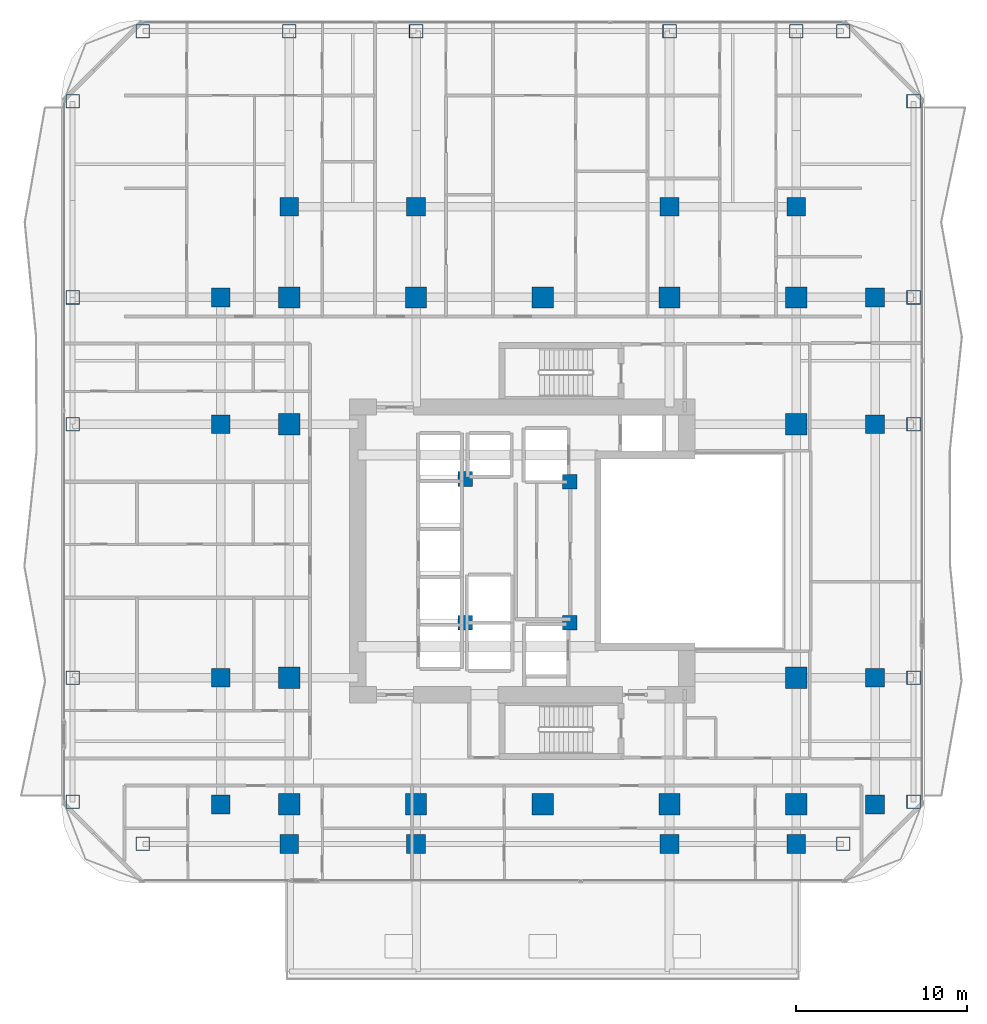
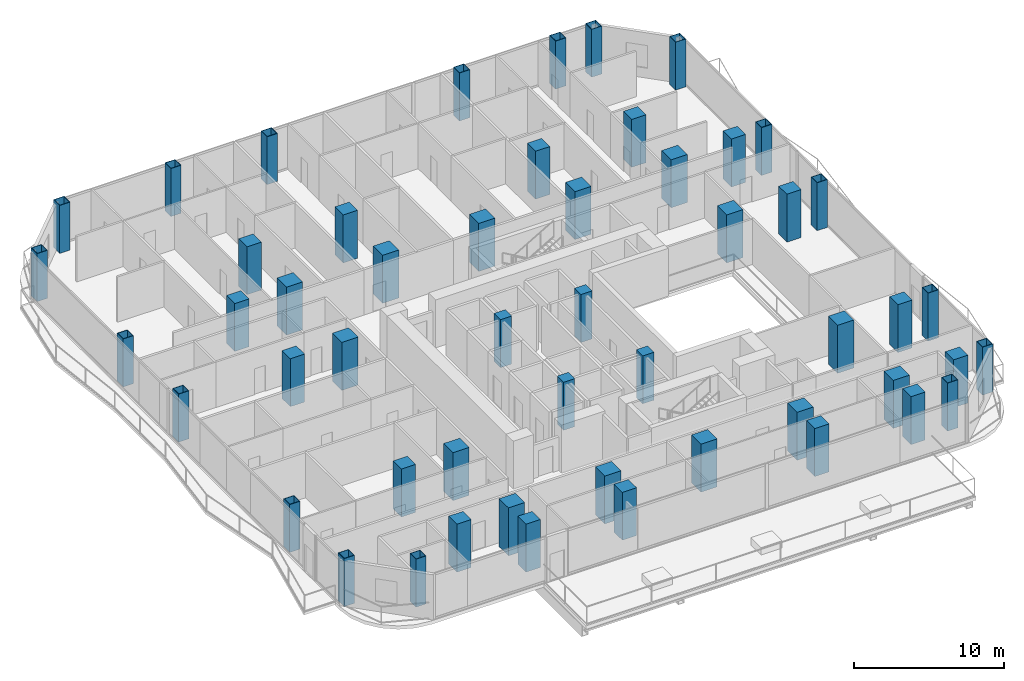
# One storey, part 1 of 29: 52 columns.
"""IFC4 building model written with IfcOpenShell, lengths in metres."""

import ifcopenshell
import ifcopenshell.guid

model = None  # the IFC model being written
_history = None  # IfcOwnerHistory: only IFC2X3 demands one
_inside = {}  # id of a spatial element -> (the spatial element, [elements in it])
_under = {}  # id of a project, library or spatial element -> (it, [spatial elements below it])
_declared = {}  # id of a project -> (the project, [libraries it declares])
_typed = {}  # id of a type object -> (the type object, [elements of that type])
_made_of = {}  # id of a material, layer set ... -> (it, [elements and type objects made of it])


def new_model(schema):
    """Start an empty IFC model of exactly this schema.

    Asked for "IFC4X3", IfcOpenShell would pick the latest addendum, in which some entities
    have other attributes; the version numbers below select the first issue.
    IFC2X3 requires an IfcOwnerHistory on every rooted entity: one is made here for all.
    """
    global model, _history
    if schema == "IFC4X3":
        model = ifcopenshell.file(schema_version=(4, 3, 0, 0))
    else:
        model = ifcopenshell.file(schema=schema)
    _inside.clear()
    _under.clear()
    _declared.clear()
    _typed.clear()
    _made_of.clear()
    _history = None
    if model.schema == "IFC2X3":
        org = make("IfcOrganization", Name="unknown")
        user = make(
            "IfcPersonAndOrganization",
            ThePerson=make("IfcPerson", FamilyName="unknown"),
            TheOrganization=org,
        )
        app = make(
            "IfcApplication",
            ApplicationDeveloper=org,
            Version="unknown",
            ApplicationFullName="unknown",
            ApplicationIdentifier="unknown",
        )
        _history = make(
            "IfcOwnerHistory",
            OwningUser=user,
            OwningApplication=app,
            ChangeAction="ADDED",
            CreationDate=0,
        )
    return model


def make(cls, **values):
    """One entity of the class cls with the attributes given. An attribute that is None is left unset."""
    return model.create_entity(
        cls, **{name: value for name, value in values.items() if value is not None}
    )


def rooted(cls, **values):
    """An entity with a GlobalId (a new one), such as an element, a storey or a relation."""
    return make(cls, GlobalId=ifcopenshell.guid.new(), OwnerHistory=_history, **values)


def si_unit(unit_type, name, prefix=None):
    """IfcSIUnit, for example si_unit("LENGTHUNIT", "METRE", prefix="MILLI")."""
    return make("IfcSIUnit", UnitType=unit_type, Prefix=prefix, Name=name)


def assignment(units):
    """IfcUnitAssignment: the units of a project."""
    return None if units is None else make("IfcUnitAssignment", Units=units)


def point(xyz):
    """IfcCartesianPoint."""
    return None if xyz is None else make("IfcCartesianPoint", Coordinates=xyz)


def direction(xyz):
    """IfcDirection."""
    return None if xyz is None else make("IfcDirection", DirectionRatios=xyz)


def frame(location, z_axis=None, x_axis=None):
    """IfcAxis2Placement3D, a coordinate frame: its origin and axes. An axis left out is left unset."""
    return make(
        "IfcAxis2Placement3D",
        Location=point(location),
        Axis=direction(z_axis),
        RefDirection=direction(x_axis),
    )


def frame_2d(location, x_axis=None):
    """IfcAxis2Placement2D, a coordinate frame in the plane: its origin and x axis."""
    return make(
        "IfcAxis2Placement2D", Location=point(location), RefDirection=direction(x_axis)
    )


def origin():
    """The frame at (0, 0, 0) with its axes left unset."""
    return frame((0.0, 0.0, 0.0))


def origin_2d():
    """The frame at (0, 0) in the plane with its x axis left unset."""
    return frame_2d((0.0, 0.0))


def place(relative_to, where):
    """IfcLocalPlacement: puts the frame where relative to a parent placement (None: the world)."""
    return make(
        "IfcLocalPlacement", PlacementRelTo=relative_to, RelativePlacement=where
    )


def context(
    kind, dimensions, precision=None, world=None, true_north=None, identifier=None
):
    """IfcGeometricRepresentationContext, for example the 3D "Model" context."""
    return make(
        "IfcGeometricRepresentationContext",
        ContextIdentifier=identifier,
        ContextType=kind,
        CoordinateSpaceDimension=dimensions,
        Precision=precision,
        WorldCoordinateSystem=world,
        TrueNorth=true_north,
    )


def subcontext(parent, identifier, kind, view, scale=None):
    """IfcGeometricRepresentationSubContext, for example "Body" below "Model"."""
    return make(
        "IfcGeometricRepresentationSubContext",
        ContextIdentifier=identifier,
        ContextType=kind,
        ParentContext=parent,
        TargetScale=scale,
        TargetView=view,
    )


def project(units=None, contexts=None):
    """IfcProject with its units and contexts."""
    return rooted(
        "IfcProject",
        Name="project",
        RepresentationContexts=contexts,
        UnitsInContext=assignment(units),
    )


def spatial(cls, under=None, at=None, **own):
    """A site, building, storey or space (cls), placed at a placement, below another one or the project."""
    s = rooted(cls, ObjectPlacement=at, **own)
    if under is not None:
        _under.setdefault(under.id(), (under, []))[1].append(s)
    return s


def profile(cls, at=None, kind="AREA", **sizes):
    """A parametric profile (cls). Its sizes go by their IFC names, for example OverallWidth=200.0."""
    return make(cls, ProfileType=kind, Position=at, **sizes)


def rectangle(**sizes):
    """IfcRectangleProfileDef."""
    return profile("IfcRectangleProfileDef", **sizes)


def hollow_rectangle(**sizes):
    """IfcRectangleHollowProfileDef."""
    return profile("IfcRectangleHollowProfileDef", **sizes)


def extrude(swept, where, along, depth):
    """IfcExtrudedAreaSolid: the profile swept, set in the frame where, extruded along a direction by depth."""
    return make(
        "IfcExtrudedAreaSolid",
        SweptArea=swept,
        Position=where,
        ExtrudedDirection=direction(along),
        Depth=depth,
    )


def shape(context_of_items, identifier, shape_type, items):
    """IfcShapeRepresentation: the items that make up one representation, for example the "Body"."""
    return make(
        "IfcShapeRepresentation",
        ContextOfItems=context_of_items,
        RepresentationIdentifier=identifier,
        RepresentationType=shape_type,
        Items=items,
    )


def material(Name=None, Category=None):
    """IfcMaterial."""
    return make("IfcMaterial", Name=Name, Category=Category)


def material_profile(
    of_material, cross_section, Name=None, Category=None, Priority=None
):
    """IfcMaterialProfile: a cross section and its material."""
    return make(
        "IfcMaterialProfile",
        Name=Name,
        Material=of_material,
        Profile=cross_section,
        Priority=Priority,
        Category=Category,
    )


def profile_set(profiles, Name=None, composite=None):
    """IfcMaterialProfileSet."""
    return make(
        "IfcMaterialProfileSet",
        Name=Name,
        MaterialProfiles=profiles,
        CompositeProfile=composite,
    )


def made_of(thing, what):
    """Note that an element or type object is made of a material, layer set ...; save() writes the relation."""
    if what is not None:
        _made_of.setdefault(what.id(), (what, []))[1].append(thing)
    return thing


def type_object(cls, material=None, **own):
    """A type object (cls), such as IfcWallType, which elements share."""
    return made_of(rooted(cls, **own), material)


def element(
    cls,
    number,
    at=None,
    inside=None,
    cuts=None,
    type_object=None,
    material=None,
    context=None,
    identifier="Body",
    shape_type=None,
    held_by="IfcProductDefinitionShape",
    body=None,
    shapes=None,
    **own,
):
    """One element of the class cls, such as IfcWall. Its Tag is "e" and its number.

    at: its placement. inside: the storey or other place that contains it. cuts: it is an
    opening in that element (IfcRelVoidsElement). A single representation is given by context,
    identifier, shape_type and body (its items); several are given by shapes. held_by: the class
    of the entity that holds the representations. save() writes the other relations.
    """
    e = rooted(cls, Tag="e%d" % number, ObjectPlacement=at, **own)
    if body is not None:
        shapes = [shape(context, identifier, shape_type, body)]
    if shapes is not None:
        e.Representation = make(held_by, Representations=shapes)
    if inside is not None:
        _inside.setdefault(inside.id(), (inside, []))[1].append(e)
    if cuts is not None:
        rooted(
            "IfcRelVoidsElement", RelatingBuildingElement=cuts, RelatedOpeningElement=e
        )
    if type_object is not None:
        _typed.setdefault(type_object.id(), (type_object, []))[1].append(e)
    return made_of(e, material)


def aggregate(whole, parts):
    """IfcRelAggregates: a whole, such as a stair, and the parts it consists of."""
    return rooted("IfcRelAggregates", RelatingObject=whole, RelatedObjects=parts)


def save(model, path):
    """Write the relations noted so far, then the file.

    IfcRelAggregates (storeys below a building ...), IfcRelContainedInSpatialStructure (elements
    in a storey), IfcRelDefinesByType, IfcRelAssociatesMaterial and IfcRelDeclares: one each for
    every whole, place, type object, material and project.
    """
    for whole, parts in _under.values():
        aggregate(whole, parts)
    for where, things in _inside.values():
        rooted(
            "IfcRelContainedInSpatialStructure",
            RelatedElements=things,
            RelatingStructure=where,
        )
    for kind, things in _typed.values():
        rooted("IfcRelDefinesByType", RelatedObjects=things, RelatingType=kind)
    for what, things in _made_of.values():
        rooted("IfcRelAssociatesMaterial", RelatedObjects=things, RelatingMaterial=what)
    for by, libraries in _declared.values():
        rooted("IfcRelDeclares", RelatingContext=by, RelatedDefinitions=libraries)
    model.write(path)


model = new_model("IFC4")

# Units and contexts
model_context = context("Model", 3, precision=1e-05, world=origin(), true_north=direction((0.0, 1.0)))
body_context = subcontext(model_context, "Body", "Model", "MODEL_VIEW")
ifc_project = project(units=[si_unit("LENGTHUNIT", "METRE"), si_unit("AREAUNIT", "SQUARE_METRE"), si_unit("VOLUMEUNIT", "CUBIC_METRE"), si_unit("PLANEANGLEUNIT", "RADIAN"), si_unit("MASSUNIT", "GRAM", prefix="KILO")], contexts=[model_context])

# Site, building, storey
site_placement = place(None, origin())
site = spatial("IfcSite", under=ifc_project, at=site_placement, CompositionType="ELEMENT")
building_placement = place(site_placement, origin())
building = spatial("IfcBuilding", under=site, at=building_placement, Name="Khorvyn Point Tower", CompositionType="ELEMENT")
storey_placement = place(building_placement, frame((0.0, 0.0, 85.199951171875)))
storey = spatial("IfcBuildingStorey", under=building, at=storey_placement, Name="L21", CompositionType="ELEMENT", Elevation=85.199951171875)

# Columns
ifc_material_1 = material(Name="Concrete C40/50", Category="concrete")
ifc_material_profile_1 = material_profile(ifc_material_1, rectangle(XDim=0.85009765625, YDim=0.85009765625, at=origin_2d()))
ifc_profile_set_1 = profile_set([ifc_material_profile_1], Name="Concrete C40/50 RC850x850")
column_type_1 = type_object("IfcColumnType", Name="Concrete C40/50 Column RC850x850", PredefinedType="COLUMN", material=ifc_profile_set_1)
for number, where, z_axis, x_axis, name in (
    (1, (-4.52001953125, -4.199951171875, 0.0), (0.0, 0.0, 1.0), (1.0, 0.0, 0.0), "L21 Crown Core Spine Column 1"),
    (2, (1.580078125, -4.179931640625, 0.0), (0.0, 0.0, 1.0), (1.0, 0.0, 0.0), "L21 Crown Core Spine Column 2"),
    (3, (1.580078125, 4.050048828125, 0.0), (0.0, 0.0, 1.0), (1.0, 0.0, 0.0), "L21 Crown Core Spine Column 3"),
    (4, (-4.52001953125, 4.199951171875, 0.0), (0.0, 0.0, 1.0), (1.0, 0.0, 0.0), "L21 Crown Core Spine Column 4"),
):
    element("IfcColumn", number, at=place(storey_placement, frame(where, z_axis=z_axis, x_axis=x_axis)), inside=storey, type_object=column_type_1, Name=name, PredefinedType="COLUMN", context=body_context, shape_type="SweptSolid", body=[
        extrude(rectangle(XDim=0.85009765625, YDim=0.85009765625, at=origin_2d()), origin(), (0.0, 0.0, 1.0), 3.900146484375),
    ])
ifc_material_2 = material(Name="Concrete C45/55", Category="concrete")
ifc_material_profile_2 = material_profile(ifc_material_2, rectangle(XDim=1.10009765625, YDim=1.10009765625, at=origin_2d()))
ifc_profile_set_2 = profile_set([ifc_material_profile_2], Name="Concrete C45/55 RC1100x1100")
column_type_2 = type_object("IfcColumnType", Name="Concrete C45/55 Column RC1100x1100", PredefinedType="COLUMN", material=ifc_profile_set_2)
for number, where, z_axis, x_axis, name in (
    (5, (-18.800048828125, -14.800048828125, 0.0), (0.0, 0.0, 1.0), (1.0, 0.0, 0.0), "L21 Intermediate Column ICW--14"),
    (6, (-18.800048828125, -7.39990234375, 0.0), (0.0, 0.0, 1.0), (1.0, 0.0, 0.0), "L21 Intermediate Column ICW--7"),
    (7, (-18.800048828125, 7.39990234375, 0.0), (0.0, 0.0, 1.0), (1.0, 0.0, 0.0), "L21 Intermediate Column ICW-7"),
    (8, (-18.800048828125, 14.800048828125, 0.0), (0.0, 0.0, 1.0), (1.0, 0.0, 0.0), "L21 Intermediate Column ICW-14"),
    (9, (19.39990234375, -14.800048828125, 0.0), (0.0, 0.0, 1.0), (1.0, 0.0, 0.0), "L21 Intermediate Column ICE--14"),
    (10, (19.39990234375, -7.39990234375, 0.0), (0.0, 0.0, 1.0), (1.0, 0.0, 0.0), "L21 Intermediate Column ICE--7"),
    (11, (19.39990234375, 7.39990234375, 0.0), (0.0, 0.0, 1.0), (1.0, 0.0, 0.0), "L21 Intermediate Column ICE-7"),
    (12, (19.39990234375, 14.800048828125, 0.0), (0.0, 0.0, 1.0), (1.0, 0.0, 0.0), "L21 Intermediate Column ICE-14"),
    (13, (-14.800048828125, -17.10009765625, 0.0), (0.0, 0.0, 1.0), (1.0, 0.0, 0.0), "L21 Intermediate Column ICS--14"),
    (14, (-7.39990234375, -17.10009765625, 0.0), (0.0, 0.0, 1.0), (1.0, 0.0, 0.0), "L21 Intermediate Column ICS--7"),
    (15, (7.39990234375, -17.10009765625, 0.0), (0.0, 0.0, 1.0), (1.0, 0.0, 0.0), "L21 Intermediate Column ICS-7"),
    (16, (14.800048828125, -17.10009765625, 0.0), (0.0, 0.0, 1.0), (1.0, 0.0, 0.0), "L21 Intermediate Column ICS-14"),
    (17, (-14.800048828125, 20.10009765625, 0.0), (0.0, 0.0, 1.0), (1.0, 0.0, 0.0), "L21 Intermediate Column ICN--14"),
    (18, (-7.39990234375, 20.10009765625, 0.0), (0.0, 0.0, 1.0), (1.0, 0.0, 0.0), "L21 Intermediate Column ICN--7"),
    (19, (7.39990234375, 20.10009765625, 0.0), (0.0, 0.0, 1.0), (1.0, 0.0, 0.0), "L21 Intermediate Column ICN-7"),
    (20, (14.800048828125, 20.10009765625, 0.0), (0.0, 0.0, 1.0), (1.0, 0.0, 0.0), "L21 Intermediate Column ICN-14"),
):
    element("IfcColumn", number, at=place(storey_placement, frame(where, z_axis=z_axis, x_axis=x_axis)), inside=storey, type_object=column_type_2, Name=name, PredefinedType="COLUMN", context=body_context, shape_type="SweptSolid", body=[
        extrude(rectangle(XDim=1.10009765625, YDim=1.10009765625, at=origin_2d()), origin(), (0.0, 0.0, 1.0), 3.900146484375),
    ])
ifc_material_3 = material(Name="Concrete C50/60", Category="concrete")
ifc_material_profile_3 = material_profile(ifc_material_3, rectangle(XDim=1.25, YDim=1.25, at=origin_2d()))
ifc_profile_set_3 = profile_set([ifc_material_profile_3], Name="Concrete C50/60 RC1250x1250")
column_type_3 = type_object("IfcColumnType", Name="Concrete C50/60 Column RC1250x1250", PredefinedType="COLUMN", material=ifc_profile_set_3)
for number, where, z_axis, x_axis, name in (
    (21, (-14.800048828125, -14.800048828125, 0.0), (0.0, 0.0, 1.0), (1.0, 0.0, 0.0), "L21 Mega-Column MC-01"),
    (22, (-7.39990234375, -14.800048828125, 0.0), (0.0, 0.0, 1.0), (1.0, 0.0, 0.0), "L21 Mega-Column MC-02"),
    (23, (0.0, -14.800048828125, 0.0), (0.0, 0.0, 1.0), (1.0, 0.0, 0.0), "L21 Mega-Column MC-03"),
    (24, (7.39990234375, -14.800048828125, 0.0), (0.0, 0.0, 1.0), (1.0, 0.0, 0.0), "L21 Mega-Column MC-04"),
    (25, (14.800048828125, -14.800048828125, 0.0), (0.0, 0.0, 1.0), (1.0, 0.0, 0.0), "L21 Mega-Column MC-05"),
    (26, (-14.800048828125, 14.800048828125, 0.0), (0.0, 0.0, 1.0), (1.0, 0.0, 0.0), "L21 Mega-Column MC-06"),
    (27, (-7.39990234375, 14.800048828125, 0.0), (0.0, 0.0, 1.0), (1.0, 0.0, 0.0), "L21 Mega-Column MC-07"),
    (28, (0.0, 14.800048828125, 0.0), (0.0, 0.0, 1.0), (1.0, 0.0, 0.0), "L21 Mega-Column MC-08"),
    (29, (7.39990234375, 14.800048828125, 0.0), (0.0, 0.0, 1.0), (1.0, 0.0, 0.0), "L21 Mega-Column MC-09"),
    (30, (14.800048828125, 14.800048828125, 0.0), (0.0, 0.0, 1.0), (1.0, 0.0, 0.0), "L21 Mega-Column MC-10"),
    (31, (-14.800048828125, -7.39990234375, 0.0), (0.0, 0.0, 1.0), (1.0, 0.0, 0.0), "L21 Mega-Column MC-11"),
    (32, (-14.800048828125, 7.39990234375, 0.0), (0.0, 0.0, 1.0), (1.0, 0.0, 0.0), "L21 Mega-Column MC-12"),
    (33, (14.800048828125, -7.39990234375, 0.0), (0.0, 0.0, 1.0), (1.0, 0.0, 0.0), "L21 Mega-Column MC-13"),
    (34, (14.800048828125, 7.39990234375, 0.0), (0.0, 0.0, 1.0), (1.0, 0.0, 0.0), "L21 Mega-Column MC-14"),
):
    element("IfcColumn", number, at=place(storey_placement, frame(where, z_axis=z_axis, x_axis=x_axis)), inside=storey, type_object=column_type_3, Name=name, PredefinedType="COLUMN", context=body_context, shape_type="SweptSolid", body=[
        extrude(rectangle(XDim=1.25, YDim=1.25, at=origin_2d()), origin(), (0.0, 0.0, 1.0), 3.900146484375),
    ])
ifc_material_4 = material(Name="Steel S450", Category="steel")
ifc_material_profile_4 = material_profile(ifc_material_4, hollow_rectangle(XDim=0.800048828125, YDim=0.800048828125, WallThickness=0.035888671875, at=origin_2d()))
ifc_profile_set_4 = profile_set([ifc_material_profile_4], Name="Steel S450 BOX800x800x36")
column_type_4 = type_object("IfcColumnType", Name="Steel S450 Structural Column BOX800x800x36", PredefinedType="COLUMN", material=ifc_profile_set_4)
for number, where, z_axis, x_axis, name in (
    (35, (-23.35009765625, -17.10009765625, 0.0), (0.0, 0.0, 1.0), (1.0, 0.0, 0.0), "L21 Perimeter Tube Column TC-01"),
    (36, (17.550048828125, -17.10009765625, 0.0), (0.0, 0.0, 1.0), (1.0, 0.0, 0.0), "L21 Perimeter Tube Column TC-02"),
    (37, (-23.35009765625, 30.35009765625, 0.0), (0.0, 0.0, 1.0), (1.0, 0.0, 0.0), "L21 Perimeter Tube Column TC-03"),
    (38, (17.550048828125, 30.35009765625, 0.0), (0.0, 0.0, 1.0), (1.0, 0.0, 0.0), "L21 Perimeter Tube Column TC-04"),
    (39, (-27.449951171875, -14.64990234375, 0.0), (0.0, 0.0, 1.0), (1.0, 0.0, 0.0), "L21 Perimeter Tube Column TC-05"),
    (40, (-27.449951171875, 26.25, 0.0), (0.0, 0.0, 1.0), (1.0, 0.0, 0.0), "L21 Perimeter Tube Column TC-06"),
    (41, (21.64990234375, -14.64990234375, 0.0), (0.0, 0.0, 1.0), (1.0, 0.0, 0.0), "L21 Perimeter Tube Column TC-07"),
    (42, (21.64990234375, 26.25, 0.0), (0.0, 0.0, 1.0), (1.0, 0.0, 0.0), "L21 Perimeter Tube Column TC-08"),
    (43, (-14.800048828125, 30.35009765625, 0.0), (0.0, 0.0, 1.0), (1.0, 0.0, 0.0), "L21 Perimeter Tube Column TC-09"),
    (44, (-7.39990234375, 30.35009765625, 0.0), (0.0, 0.0, 1.0), (1.0, 0.0, 0.0), "L21 Perimeter Tube Column TC-10"),
    (45, (7.39990234375, 30.35009765625, 0.0), (0.0, 0.0, 1.0), (1.0, 0.0, 0.0), "L21 Perimeter Tube Column TC-11"),
    (46, (14.800048828125, 30.35009765625, 0.0), (0.0, 0.0, 1.0), (1.0, 0.0, 0.0), "L21 Perimeter Tube Column TC-12"),
    (47, (-27.449951171875, -7.39990234375, 0.0), (0.0, 0.0, 1.0), (1.0, 0.0, 0.0), "L21 Perimeter Tube Column TC-13"),
    (48, (21.64990234375, -7.39990234375, 0.0), (0.0, 0.0, 1.0), (1.0, 0.0, 0.0), "L21 Perimeter Tube Column TC-14"),
    (49, (-27.449951171875, 7.39990234375, 0.0), (0.0, 0.0, 1.0), (1.0, 0.0, 0.0), "L21 Perimeter Tube Column TC-15"),
    (50, (21.64990234375, 7.39990234375, 0.0), (0.0, 0.0, 1.0), (1.0, 0.0, 0.0), "L21 Perimeter Tube Column TC-16"),
    (51, (-27.449951171875, 14.800048828125, 0.0), (0.0, 0.0, 1.0), (1.0, 0.0, 0.0), "L21 Perimeter Tube Column TC-17"),
    (52, (21.64990234375, 14.800048828125, 0.0), (0.0, 0.0, 1.0), (1.0, 0.0, 0.0), "L21 Perimeter Tube Column TC-18"),
):
    element("IfcColumn", number, at=place(storey_placement, frame(where, z_axis=z_axis, x_axis=x_axis)), inside=storey, type_object=column_type_4, Name=name, PredefinedType="COLUMN", context=body_context, shape_type="SweptSolid", body=[
        extrude(hollow_rectangle(XDim=0.800048828125, YDim=0.800048828125, WallThickness=0.035888671875, at=origin_2d()), origin(), (0.0, 0.0, 1.0), 3.900146484375),
    ])

save(model, "model.ifc")
